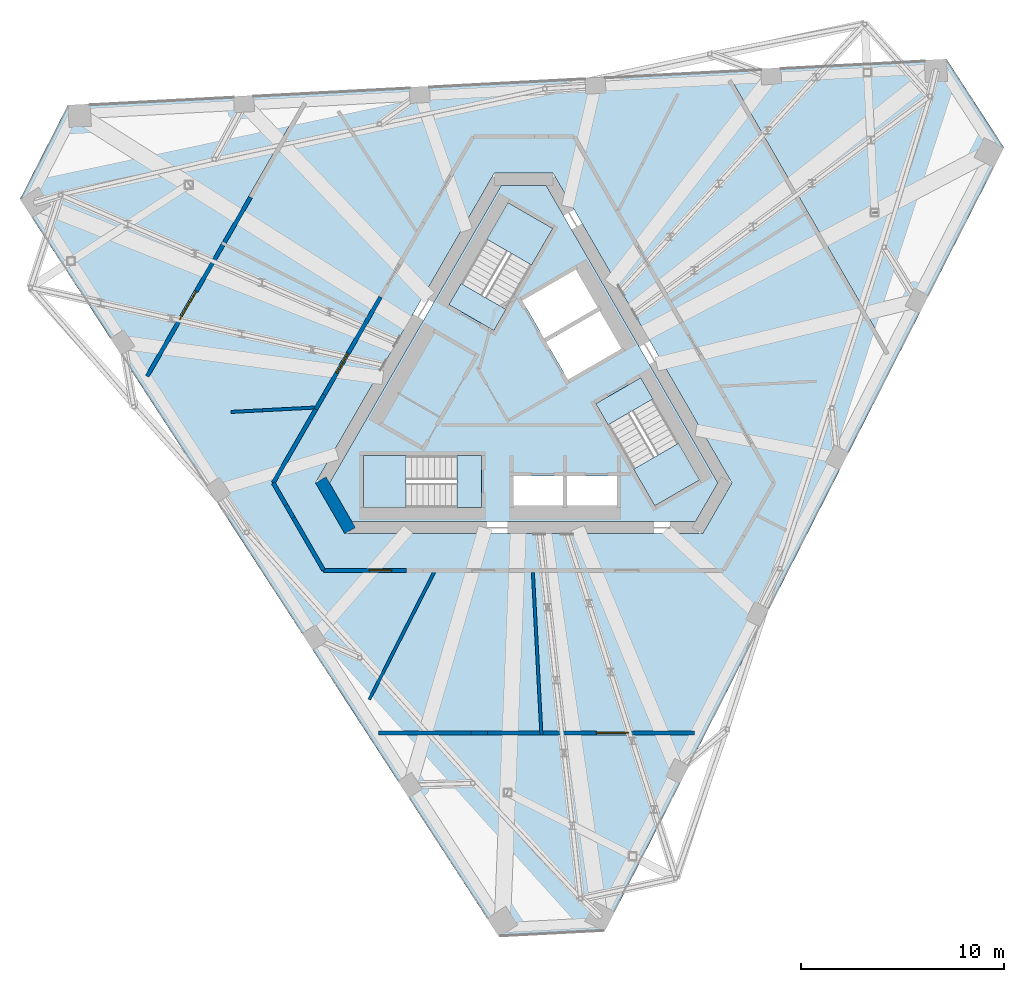
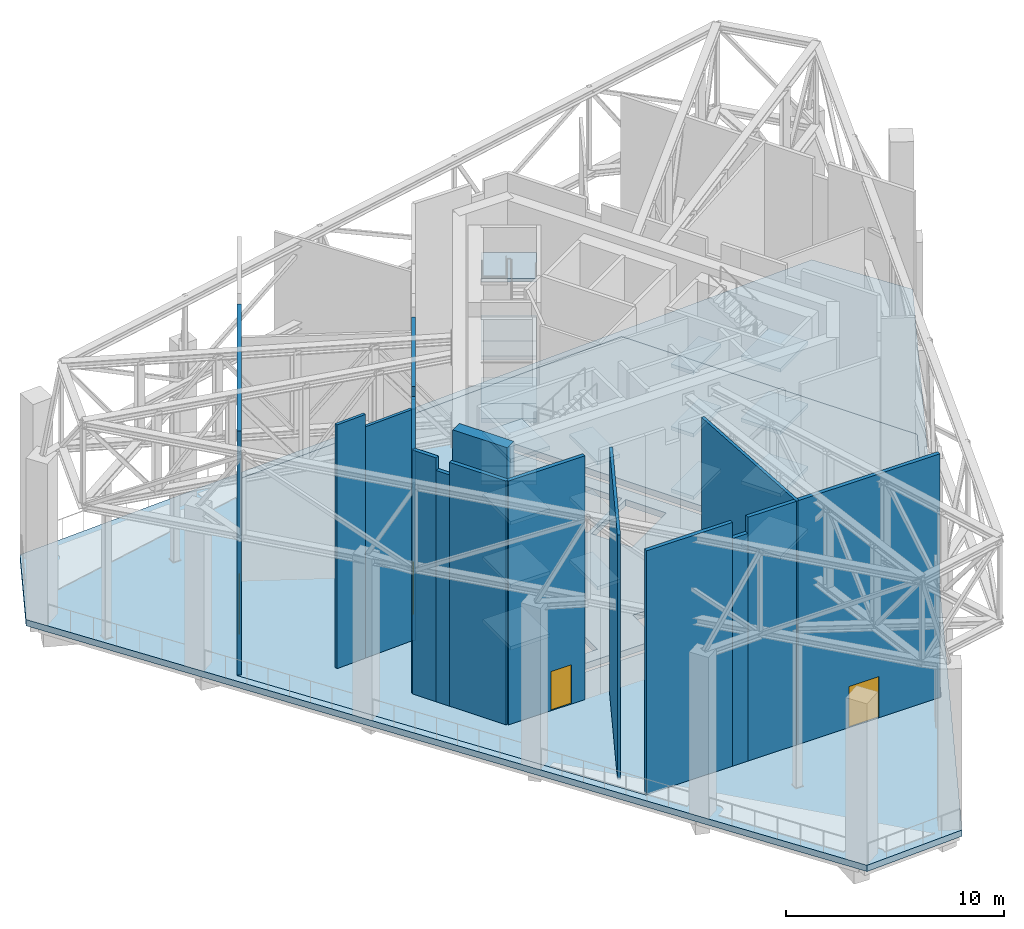
# One storey, part 14 of 23: 24 slabs, 16 walls, 4 doors, 4 openings, 3 elements without a shape of their own.
"""IFC4 building model written with IfcOpenShell, lengths in metres."""

from ifc_helpers import new_model, si_unit, direction, frame, frame_2d, origin, place, context, subcontext, project, spatial, polyline, rectangle, outline, extrude, material, layer, layer_set, type_object, element, fill, aggregate, save


model = new_model("IFC4")

# Units and contexts
model_context = context("Model", 3, precision=1e-05, world=origin(), true_north=direction((0.0, 1.0)))
body_context = subcontext(model_context, "Body", "Model", "MODEL_VIEW")
ifc_project = project(units=[si_unit("LENGTHUNIT", "METRE"), si_unit("AREAUNIT", "SQUARE_METRE"), si_unit("VOLUMEUNIT", "CUBIC_METRE"), si_unit("PLANEANGLEUNIT", "RADIAN"), si_unit("MASSUNIT", "GRAM", prefix="KILO")], contexts=[model_context])

# Site, building, storey
site_placement = place(None, origin())
site = spatial("IfcSite", under=ifc_project, at=site_placement, CompositionType="ELEMENT")
building_placement = place(site_placement, origin())
building = spatial("IfcBuilding", under=site, at=building_placement, Name="Tramontana Tower", CompositionType="ELEMENT")
storey_placement = place(building_placement, frame((0.0, 0.0, 306.39990234375)))
storey = spatial("IfcBuildingStorey", under=building, at=storey_placement, Name="L72", CompositionType="ELEMENT", Elevation=306.39990234375)

# Slabs
ifc_material_1 = material(Name="Concrete 40 MPa", Category="concrete")
ifc_layer_1 = layer(ifc_material_1, 0.35009765625)
ifc_layer_set_1 = layer_set([ifc_layer_1], Name="PT FLAT SLAB 350 40 MPa")
slab_type_1 = type_object("IfcSlabType", Name="PT FLAT SLAB 350 40 MPa", PredefinedType="FLOOR", material=ifc_layer_set_1)
slab_1_placement = place(storey_placement, frame((0.0, 0.0, -0.349853515625)))
element("IfcSlab", 1, at=slab_1_placement, inside=storey, type_object=slab_type_1, Name="Floor slab L72", PredefinedType="FLOOR", context=body_context, shape_type="SweptSolid", body=[
    extrude(outline(polyline([(-7.1376953125, -16.64990234375), (-7.147705078125, -16.6494140625), (-7.1572265625, -16.648193359375), (-7.166748046875, -16.645751953125), (-7.176025390625, -16.642333984375), (-7.184814453125, -16.63818359375), (-7.193359375, -16.633056640625), (-7.201171875, -16.627197265625), (-7.20849609375, -16.62060546875), (-7.215087890625, -16.61328125), (-7.220947265625, -16.605712890625), (-18.618896484375, 0.945556640625), (-18.62353515625, 0.9541015625), (-18.62744140625, 0.963134765625), (-18.63037109375, 0.97265625), (-18.632568359375, 0.982177734375), (-18.633544921875, 0.991943359375), (-18.6337890625, 1.001708984375), (-18.633056640625, 1.011474609375), (-18.631103515625, 1.02099609375), (-18.62841796875, 1.030517578125), (-18.625, 1.039794921875), (-18.620361328125, 1.04833984375), (-10.850341796875, 14.506591796875), (-10.84521484375, 14.5146484375), (-10.839111328125, 14.5224609375), (-10.832275390625, 14.529541015625), (-10.82470703125, 14.535888671875), (-10.816650390625, 14.54150390625), (-10.80810546875, 14.546142578125), (-10.799072265625, 14.550048828125), (-10.789794921875, 14.552978515625), (-10.780029296875, 14.55517578125), (-10.7705078125, 14.556396484375), (10.12841796875, 15.651611328125), (10.13818359375, 15.6513671875), (10.14794921875, 15.650146484375), (10.157470703125, 15.648193359375), (10.166748046875, 15.645263671875), (10.17578125, 15.64111328125), (10.184326171875, 15.636474609375), (10.1923828125, 15.630859375), (10.199951171875, 15.62451171875), (10.206787109375, 15.617431640625), (10.212890625, 15.60986328125), (10.21826171875, 15.6015625), (15.306640625, 6.7880859375), (17.98828125, 2.1435546875), (17.99267578125, 2.134765625), (17.996337890625, 2.125732421875), (17.9990234375, 2.1162109375), (18.000732421875, 2.106689453125), (18.00146484375, 2.0966796875), (18.00146484375, 2.0869140625), (18.000244140625, 2.0771484375), (17.998291015625, 2.067626953125), (17.9951171875, 2.058349609375), (17.9912109375, 2.04931640625), (8.490478515625, -16.59716796875), (8.4853515625, -16.605712890625), (8.4794921875, -16.61328125), (8.472900390625, -16.62060546875), (8.4658203125, -16.627197265625), (8.457763671875, -16.633056640625), (8.449462890625, -16.63818359375), (8.4404296875, -16.642333984375), (8.431396484375, -16.645751953125), (8.421875, -16.648193359375), (8.412109375, -16.6494140625), (8.402099609375, -16.64990234375), (0.797607421875, -16.64990234375), (-7.1376953125, -16.64990234375)]), holes=[polyline([(-8.8046875, -6.75), (8.8046875, -6.75), (10.248046875, -4.25), (1.443359375, 11.0), (-1.443359375, 11.0), (-10.248046875, -4.25), (-8.8046875, -6.75)])]), origin(), (0.0, 0.0, 1.0), 0.349853515625),
])
slab_2_placement = place(storey_placement, frame((0.0, 0.0, -0.349853515625)))
element("IfcSlab", 2, at=slab_2_placement, inside=storey, type_object=slab_type_1, Name="Terrace slab L72", PredefinedType="FLOOR", context=body_context, shape_type="SweptSolid", body=[
    extrude(outline(polyline([(3.9814453125, -26.32763671875), (-1.20751953125, -26.599609375), (-24.791259765625, 9.7158203125), (-22.43212890625, 14.345703125), (20.809814453125, 16.61181640625), (23.639892578125, 12.25390625), (3.9814453125, -26.32763671875)]), holes=[polyline([(8.402099609375, -16.64990234375), (8.412109375, -16.6494140625), (8.421875, -16.648193359375), (8.431396484375, -16.645751953125), (8.4404296875, -16.642333984375), (8.449462890625, -16.63818359375), (8.457763671875, -16.633056640625), (8.4658203125, -16.627197265625), (8.472900390625, -16.62060546875), (8.4794921875, -16.61328125), (8.4853515625, -16.605712890625), (8.490478515625, -16.59716796875), (17.9912109375, 2.04931640625), (17.9951171875, 2.058349609375), (17.998291015625, 2.067626953125), (18.000244140625, 2.0771484375), (18.00146484375, 2.0869140625), (18.00146484375, 2.0966796875), (18.000732421875, 2.106689453125), (17.9990234375, 2.1162109375), (17.996337890625, 2.125732421875), (17.99267578125, 2.134765625), (17.98828125, 2.1435546875), (15.306640625, 6.7880859375), (10.21826171875, 15.6015625), (10.212890625, 15.60986328125), (10.206787109375, 15.617431640625), (10.199951171875, 15.62451171875), (10.1923828125, 15.630859375), (10.184326171875, 15.636474609375), (10.17578125, 15.64111328125), (10.166748046875, 15.645263671875), (10.157470703125, 15.648193359375), (10.14794921875, 15.650146484375), (10.13818359375, 15.6513671875), (10.12841796875, 15.651611328125), (-10.7705078125, 14.556396484375), (-10.780029296875, 14.55517578125), (-10.789794921875, 14.552978515625), (-10.799072265625, 14.550048828125), (-10.80810546875, 14.546142578125), (-10.816650390625, 14.54150390625), (-10.82470703125, 14.535888671875), (-10.832275390625, 14.529541015625), (-10.839111328125, 14.5224609375), (-10.84521484375, 14.5146484375), (-10.850341796875, 14.506591796875), (-18.620361328125, 1.04833984375), (-18.625, 1.039794921875), (-18.62841796875, 1.030517578125), (-18.631103515625, 1.02099609375), (-18.633056640625, 1.011474609375), (-18.6337890625, 1.001708984375), (-18.633544921875, 0.991943359375), (-18.632568359375, 0.982177734375), (-18.63037109375, 0.97265625), (-18.62744140625, 0.963134765625), (-18.62353515625, 0.9541015625), (-18.618896484375, 0.945556640625), (-7.220947265625, -16.605712890625), (-7.215087890625, -16.61328125), (-7.20849609375, -16.62060546875), (-7.201171875, -16.627197265625), (-7.193359375, -16.633056640625), (-7.184814453125, -16.63818359375), (-7.176025390625, -16.642333984375), (-7.166748046875, -16.645751953125), (-7.1572265625, -16.648193359375), (-7.147705078125, -16.6494140625), (-7.1376953125, -16.64990234375), (0.797607421875, -16.64990234375), (8.402099609375, -16.64990234375)])]), origin(), (0.0, 0.0, 1.0), 0.349853515625),
])
slab_3_placement = place(storey_placement, frame((0.0, 0.0, -0.349853515625)))
element("IfcSlab", 3, at=slab_3_placement, inside=storey, type_object=slab_type_1, Name="Core floor slab L72", PredefinedType="FLOOR", context=body_context, shape_type="SweptSolid", body=[
    extrude(outline(polyline([(9.55517578125, -4.25), (8.458251953125, -6.14990234375), (-8.458251953125, -6.14990234375), (-9.55517578125, -4.25), (-1.096923828125, 10.39990234375), (1.096923828125, 10.39990234375), (9.55517578125, -4.25)]), holes=[polyline([(8.659912109375, -4.099365234375), (6.35986328125, -0.115478515625), (4.151611328125, -1.390625), (6.451416015625, -5.374267578125), (8.659912109375, -4.099365234375)]), polyline([(3.829833984375, 4.2666015625), (1.101806640625, 2.69140625), (2.177001953125, 0.82958984375), (4.90478515625, 2.404541015625), (3.829833984375, 4.2666015625)]), polyline([(4.590087890625, -3.89990234375), (2.139892578125, -3.89990234375), (2.139892578125, -5.449951171875), (4.590087890625, -5.449951171875), (4.590087890625, -3.89990234375)]), polyline([(2.65478515625, 6.3017578125), (-0.072998046875, 4.726806640625), (1.001953125, 2.86474609375), (3.729736328125, 4.439697265625), (2.65478515625, 6.3017578125)]), polyline([(1.93994140625, -5.449951171875), (1.93994140625, -3.89990234375), (-0.510009765625, -3.89990234375), (-0.510009765625, -5.449951171875), (1.93994140625, -5.449951171875)]), polyline([(-0.77978515625, 9.54931640625), (-3.079833984375, 5.565673828125), (-0.87158203125, 4.29052734375), (1.428466796875, 8.2744140625), (-0.77978515625, 9.54931640625)]), polyline([(-7.8798828125, -5.449951171875), (-3.280029296875, -5.449951171875), (-3.280029296875, -2.89990234375), (-7.8798828125, -2.89990234375), (-7.8798828125, -5.449951171875)])]), origin(), (0.0, 0.0, 1.0), 0.349853515625),
])

# Stair, slabs
ifc_material_2 = material(Name="Concrete 40 MPa", Category="concrete")
stair_type = type_object("IfcStairType", Name="EXIT STAIR 80 RISERS", PredefinedType="HALF_TURN_STAIR", material=ifc_material_2)
stair_1_placement = place(storey_placement, origin())
stair_1 = element("IfcStair", 4, at=stair_1_placement, inside=storey, type_object=stair_type, Name="L72 Exit stair ST1", PredefinedType="HALF_TURN_STAIR")
ifc_material_3 = material(Name="Concrete 40 MPa", Category="concrete")
ifc_layer_2 = layer(ifc_material_3, 0.199951171875)
ifc_layer_set_2 = layer_set([ifc_layer_2], Name="STAIR LANDING 200")
slab_type_2 = type_object("IfcSlabType", Name="STAIR LANDING 200", PredefinedType="LANDING", material=ifc_layer_set_2)
slab_4_placement = place(storey_placement, frame((0.0, 0.0, 1.550048828125)))
slab_4 = element("IfcSlab", 5, at=slab_4_placement, type_object=slab_type_2, Name="ST1 landing 1", PredefinedType="LANDING", context=body_context, shape_type="SweptSolid", body=[
    extrude(outline(polyline([(0.388427734375, 6.472900390625), (1.428466796875, 8.274169921875), (-0.77978515625, 9.54931640625), (-1.81982421875, 7.748046875), (0.388427734375, 6.472900390625)])), origin(), (0.0, 0.0, 1.0), 0.199951171875),
])
slab_5_placement = place(storey_placement, frame((0.0, 0.0, 3.300048828125)))
slab_5 = element("IfcSlab", 6, at=slab_5_placement, type_object=slab_type_2, Name="ST1 landing 2", PredefinedType="LANDING", context=body_context, shape_type="SweptSolid", body=[
    extrude(outline(polyline([(-1.471435546875, 3.251220703125), (-0.87158203125, 4.29052734375), (-3.079833984375, 5.565673828125), (-3.679931640625, 4.5263671875), (-1.471435546875, 3.251220703125)])), origin(), (0.0, 0.0, 1.0), 0.199951171875),
])
slab_6_placement = place(storey_placement, frame((0.0, 0.0, 5.050048828125)))
slab_6 = element("IfcSlab", 7, at=slab_6_placement, type_object=slab_type_2, Name="ST1 landing 3", PredefinedType="LANDING", context=body_context, shape_type="SweptSolid", body=[
    extrude(outline(polyline([(0.388427734375, 6.472900390625), (1.428466796875, 8.274169921875), (-0.77978515625, 9.54931640625), (-1.81982421875, 7.748046875), (0.388427734375, 6.472900390625)])), origin(), (0.0, 0.0, 1.0), 0.199951171875),
])
slab_7_placement = place(storey_placement, frame((0.0, 0.0, 6.800048828125)))
slab_7 = element("IfcSlab", 8, at=slab_7_placement, type_object=slab_type_2, Name="ST1 landing 4", PredefinedType="LANDING", context=body_context, shape_type="SweptSolid", body=[
    extrude(outline(polyline([(-1.471435546875, 3.251220703125), (-0.87158203125, 4.29052734375), (-3.079833984375, 5.565673828125), (-3.679931640625, 4.5263671875), (-1.471435546875, 3.251220703125)])), origin(), (0.0, 0.0, 1.0), 0.199951171875),
])
slab_8_placement = place(storey_placement, frame((0.0, 0.0, 8.550048828125)))
slab_8 = element("IfcSlab", 9, at=slab_8_placement, type_object=slab_type_2, Name="ST1 landing 5", PredefinedType="LANDING", context=body_context, shape_type="SweptSolid", body=[
    extrude(outline(polyline([(0.388427734375, 6.472900390625), (1.428466796875, 8.274169921875), (-0.77978515625, 9.54931640625), (-1.81982421875, 7.748046875), (0.388427734375, 6.472900390625)])), origin(), (0.0, 0.0, 1.0), 0.199951171875),
])
slab_9_placement = place(storey_placement, frame((0.0, 0.0, 10.300048828125)))
slab_9 = element("IfcSlab", 10, at=slab_9_placement, type_object=slab_type_2, Name="ST1 landing 6", PredefinedType="LANDING", context=body_context, shape_type="SweptSolid", body=[
    extrude(outline(polyline([(-1.471435546875, 3.251220703125), (-0.87158203125, 4.29052734375), (-3.079833984375, 5.565673828125), (-3.679931640625, 4.5263671875), (-1.471435546875, 3.251220703125)])), origin(), (0.0, 0.0, 1.0), 0.199951171875),
])
slab_10_placement = place(storey_placement, frame((0.0, 0.0, 12.050048828125)))
slab_10 = element("IfcSlab", 11, at=slab_10_placement, type_object=slab_type_2, Name="ST1 landing 7", PredefinedType="LANDING", context=body_context, shape_type="SweptSolid", body=[
    extrude(outline(polyline([(0.388427734375, 6.472900390625), (1.428466796875, 8.274169921875), (-0.77978515625, 9.54931640625), (-1.81982421875, 7.748046875), (0.388427734375, 6.472900390625)])), origin(), (0.0, 0.0, 1.0), 0.199951171875),
])
aggregate(stair_1, [slab_4, slab_5, slab_6, slab_7, slab_8, slab_9, slab_10])

stair_2_placement = place(storey_placement, origin())
stair_2 = element("IfcStair", 12, at=stair_2_placement, inside=storey, type_object=stair_type, Name="L72 Exit stair ST2", PredefinedType="HALF_TURN_STAIR")
slab_11_placement = place(storey_placement, frame((0.0, 0.0, 1.550048828125)))
slab_11 = element("IfcSlab", 13, at=slab_11_placement, type_object=slab_type_2, Name="ST2 landing 1", PredefinedType="LANDING", context=body_context, shape_type="SweptSolid", body=[
    extrude(outline(polyline([(-5.800048828125, -2.89990234375), (-7.8798828125, -2.89990234375), (-7.8798828125, -5.449951171875), (-5.800048828125, -5.449951171875), (-5.800048828125, -2.89990234375)])), origin(), (0.0, 0.0, 1.0), 0.199951171875),
])
slab_12_placement = place(storey_placement, frame((0.0, 0.0, 3.300048828125)))
slab_12 = element("IfcSlab", 14, at=slab_12_placement, type_object=slab_type_2, Name="ST2 landing 2", PredefinedType="LANDING", context=body_context, shape_type="SweptSolid", body=[
    extrude(outline(polyline([(-2.080078125, -2.89990234375), (-3.280029296875, -2.89990234375), (-3.280029296875, -5.449951171875), (-2.080078125, -5.449951171875), (-2.080078125, -2.89990234375)])), origin(), (0.0, 0.0, 1.0), 0.199951171875),
])
slab_13_placement = place(storey_placement, frame((0.0, 0.0, 5.050048828125)))
slab_13 = element("IfcSlab", 15, at=slab_13_placement, type_object=slab_type_2, Name="ST2 landing 3", PredefinedType="LANDING", context=body_context, shape_type="SweptSolid", body=[
    extrude(outline(polyline([(-5.800048828125, -2.89990234375), (-7.8798828125, -2.89990234375), (-7.8798828125, -5.449951171875), (-5.800048828125, -5.449951171875), (-5.800048828125, -2.89990234375)])), origin(), (0.0, 0.0, 1.0), 0.199951171875),
])
slab_14_placement = place(storey_placement, frame((0.0, 0.0, 6.800048828125)))
slab_14 = element("IfcSlab", 16, at=slab_14_placement, type_object=slab_type_2, Name="ST2 landing 4", PredefinedType="LANDING", context=body_context, shape_type="SweptSolid", body=[
    extrude(outline(polyline([(-2.080078125, -2.89990234375), (-3.280029296875, -2.89990234375), (-3.280029296875, -5.449951171875), (-2.080078125, -5.449951171875), (-2.080078125, -2.89990234375)])), origin(), (0.0, 0.0, 1.0), 0.199951171875),
])
slab_15_placement = place(storey_placement, frame((0.0, 0.0, 8.550048828125)))
slab_15 = element("IfcSlab", 17, at=slab_15_placement, type_object=slab_type_2, Name="ST2 landing 5", PredefinedType="LANDING", context=body_context, shape_type="SweptSolid", body=[
    extrude(outline(polyline([(-5.800048828125, -2.89990234375), (-7.8798828125, -2.89990234375), (-7.8798828125, -5.449951171875), (-5.800048828125, -5.449951171875), (-5.800048828125, -2.89990234375)])), origin(), (0.0, 0.0, 1.0), 0.199951171875),
])
slab_16_placement = place(storey_placement, frame((0.0, 0.0, 10.300048828125)))
slab_16 = element("IfcSlab", 18, at=slab_16_placement, type_object=slab_type_2, Name="ST2 landing 6", PredefinedType="LANDING", context=body_context, shape_type="SweptSolid", body=[
    extrude(outline(polyline([(-2.080078125, -2.89990234375), (-3.280029296875, -2.89990234375), (-3.280029296875, -5.449951171875), (-2.080078125, -5.449951171875), (-2.080078125, -2.89990234375)])), origin(), (0.0, 0.0, 1.0), 0.199951171875),
])
slab_17_placement = place(storey_placement, frame((0.0, 0.0, 12.050048828125)))
slab_17 = element("IfcSlab", 19, at=slab_17_placement, type_object=slab_type_2, Name="ST2 landing 7", PredefinedType="LANDING", context=body_context, shape_type="SweptSolid", body=[
    extrude(outline(polyline([(-5.800048828125, -2.89990234375), (-7.8798828125, -2.89990234375), (-7.8798828125, -5.449951171875), (-5.800048828125, -5.449951171875), (-5.800048828125, -2.89990234375)])), origin(), (0.0, 0.0, 1.0), 0.199951171875),
])
aggregate(stair_2, [slab_11, slab_12, slab_13, slab_14, slab_15, slab_16, slab_17])

stair_3_placement = place(storey_placement, origin())
stair_3 = element("IfcStair", 20, at=stair_3_placement, inside=storey, type_object=stair_type, Name="L72 Exit stair ST3", PredefinedType="HALF_TURN_STAIR")
slab_18_placement = place(storey_placement, frame((0.0, 0.0, 1.550048828125)))
slab_18 = element("IfcSlab", 21, at=slab_18_placement, type_object=slab_type_2, Name="ST3 landing 1", PredefinedType="LANDING", context=body_context, shape_type="SweptSolid", body=[
    extrude(outline(polyline([(5.411376953125, -3.572998046875), (6.451416015625, -5.374267578125), (8.659912109375, -4.099365234375), (7.619873046875, -2.2978515625), (5.411376953125, -3.572998046875)])), origin(), (0.0, 0.0, 1.0), 0.199951171875),
])
slab_19_placement = place(storey_placement, frame((0.0, 0.0, 3.300048828125)))
slab_19 = element("IfcSlab", 22, at=slab_19_placement, type_object=slab_type_2, Name="ST3 landing 2", PredefinedType="LANDING", context=body_context, shape_type="SweptSolid", body=[
    extrude(outline(polyline([(3.551513671875, -0.351318359375), (4.1513671875, -1.390625), (6.35986328125, -0.115478515625), (5.759765625, 0.923583984375), (3.551513671875, -0.351318359375)])), origin(), (0.0, 0.0, 1.0), 0.199951171875),
])
slab_20_placement = place(storey_placement, frame((0.0, 0.0, 5.050048828125)))
slab_20 = element("IfcSlab", 23, at=slab_20_placement, type_object=slab_type_2, Name="ST3 landing 3", PredefinedType="LANDING", context=body_context, shape_type="SweptSolid", body=[
    extrude(outline(polyline([(5.411376953125, -3.572998046875), (6.451416015625, -5.374267578125), (8.659912109375, -4.099365234375), (7.619873046875, -2.2978515625), (5.411376953125, -3.572998046875)])), origin(), (0.0, 0.0, 1.0), 0.199951171875),
])
slab_21_placement = place(storey_placement, frame((0.0, 0.0, 6.800048828125)))
slab_21 = element("IfcSlab", 24, at=slab_21_placement, type_object=slab_type_2, Name="ST3 landing 4", PredefinedType="LANDING", context=body_context, shape_type="SweptSolid", body=[
    extrude(outline(polyline([(3.551513671875, -0.351318359375), (4.1513671875, -1.390625), (6.35986328125, -0.115478515625), (5.759765625, 0.923583984375), (3.551513671875, -0.351318359375)])), origin(), (0.0, 0.0, 1.0), 0.199951171875),
])
slab_22_placement = place(storey_placement, frame((0.0, 0.0, 8.550048828125)))
slab_22 = element("IfcSlab", 25, at=slab_22_placement, type_object=slab_type_2, Name="ST3 landing 5", PredefinedType="LANDING", context=body_context, shape_type="SweptSolid", body=[
    extrude(outline(polyline([(5.411376953125, -3.572998046875), (6.451416015625, -5.374267578125), (8.659912109375, -4.099365234375), (7.619873046875, -2.2978515625), (5.411376953125, -3.572998046875)])), origin(), (0.0, 0.0, 1.0), 0.199951171875),
])
slab_23_placement = place(storey_placement, frame((0.0, 0.0, 10.300048828125)))
slab_23 = element("IfcSlab", 26, at=slab_23_placement, type_object=slab_type_2, Name="ST3 landing 6", PredefinedType="LANDING", context=body_context, shape_type="SweptSolid", body=[
    extrude(outline(polyline([(3.551513671875, -0.351318359375), (4.1513671875, -1.390625), (6.35986328125, -0.115478515625), (5.759765625, 0.923583984375), (3.551513671875, -0.351318359375)])), origin(), (0.0, 0.0, 1.0), 0.199951171875),
])
slab_24_placement = place(storey_placement, frame((0.0, 0.0, 12.050048828125)))
slab_24 = element("IfcSlab", 27, at=slab_24_placement, type_object=slab_type_2, Name="ST3 landing 7", PredefinedType="LANDING", context=body_context, shape_type="SweptSolid", body=[
    extrude(outline(polyline([(5.411376953125, -3.572998046875), (6.451416015625, -5.374267578125), (8.659912109375, -4.099365234375), (7.619873046875, -2.2978515625), (5.411376953125, -3.572998046875)])), origin(), (0.0, 0.0, 1.0), 0.199951171875),
])
aggregate(stair_3, [slab_18, slab_19, slab_20, slab_21, slab_22, slab_23, slab_24])

# Wall
ifc_material_4 = material(Name="Concrete 70 MPa", Category="concrete")
ifc_layer_3 = layer(ifc_material_4, 0.60009765625)
ifc_layer_set_3 = layer_set([ifc_layer_3], Name="Core wall 600 70 MPa")
wall_type_1 = type_object("IfcWallType", Name="Core wall 600 70 MPa", PredefinedType="SHEAR", material=ifc_layer_set_3)
wall_1_placement = place(storey_placement, frame((-9.98828125, -4.10009765625, 0.0), z_axis=(0.0, 0.0, 1.0), x_axis=(0.499995765644, -0.866027848477, 0.0)))
element("IfcWall", 28, at=wall_1_placement, inside=storey, type_object=wall_type_1, Name="Core wall C2 L72", PredefinedType="SHEAR", context=body_context, shape_type="SweptSolid", body=[
    extrude(rectangle(XDim=2.88671875, YDim=0.60009765625, at=frame_2d((1.443359375, 0.0))), origin(), (0.0, 0.0, 1.0), 14.0),
])

# Wall, opening, door
ifc_material_5 = material(Name="Blockwork", Category="masonry")
ifc_layer_4 = layer(ifc_material_5, 0.199951171875)
ifc_layer_set_4 = layer_set([ifc_layer_4], Name="ENCLOSURE WALL 200")
wall_type_2 = type_object("IfcWallType", Name="ENCLOSURE WALL 200", PredefinedType="SOLIDWALL", material=ifc_layer_set_4)
wall_2_placement = place(storey_placement, frame((8.40234375, -16.550048828125, 0.0), z_axis=(0.0, 0.0, 1.0), x_axis=(-1.0, 0.0, 0.0)))
wall_2 = element("IfcWall", 29, at=wall_2_placement, inside=storey, type_object=wall_type_2, Name="Wall enc0-0", PredefinedType="SOLIDWALL", context=body_context, shape_type="SweptSolid", body=[
    extrude(rectangle(XDim=10.177001953125, YDim=0.199951171875, at=frame_2d((5.08837890625, 0.0))), origin(), (0.0, 0.0, 1.0), 13.650146484375),
])
opening_1_placement = place(wall_2_placement, frame((3.226806640625, 0.0, 0.0)))
opening_1 = element("IfcOpeningElement", 30, at=opening_1_placement, cuts=wall_2, Name="Opening L72-11", PredefinedType="OPENING", context=body_context, shape_type="SweptSolid", body=[
    extrude(rectangle(XDim=1.60009765625, YDim=2.300048828125, at=frame_2d((0.800048828125, 1.14990234375))), frame((0.0, 0.10986328125, 0.0), z_axis=(0.0, -1.0, 0.0), x_axis=(1.0, 0.0, 0.0)), (0.0, 0.0, 1.0), 0.219970703125),
])
ifc_material_6 = material(Name="Painted timber", Category="wood")
door_type_1 = type_object("IfcDoorType", Name="DOOR WIDE 1600", OperationType="SINGLE_SWING_LEFT", PredefinedType="DOOR", material=ifc_material_6)
door_1_placement = place(opening_1_placement, origin())
door_1 = element("IfcDoor", 31, at=door_1_placement, inside=storey, type_object=door_type_1, Name="Door L72-11", OperationType="DOUBLE_DOOR_SINGLE_SWING", OverallHeight=2.300048828125, OverallWidth=1.60009765625, PredefinedType="DOOR", context=body_context, shape_type="SweptSolid", body=[
    extrude(rectangle(XDim=1.60009765625, YDim=2.300048828125, at=frame_2d((0.800048828125, 1.14990234375))), frame((0.0, 0.02490234375, 0.0), z_axis=(0.0, -1.0, 0.0), x_axis=(1.0, 0.0, 0.0)), (0.0, 0.0, 1.0), 0.050048828125),
])
fill(opening_1, door_1)

# Walls
wall_3_placement = place(storey_placement, frame((-1.774658203125, -16.550048828125, 0.0), z_axis=(0.0, 0.0, 1.0), x_axis=(-1.0, 0.0, 0.0)))
element("IfcWall", 32, at=wall_3_placement, inside=storey, type_object=wall_type_2, Name="Wall enc0-1", PredefinedType="SOLIDWALL", context=body_context, shape_type="SweptSolid", body=[
    extrude(rectangle(XDim=0.806884765625, YDim=0.199951171875, at=frame_2d((0.4033203125, 0.0))), origin(), (0.0, 0.0, 1.0), 12.75),
])
wall_4_placement = place(storey_placement, frame((-2.58154296875, -16.550048828125, 0.0), z_axis=(0.0, 0.0, 1.0), x_axis=(-1.0, 0.0, 0.0)))
element("IfcWall", 33, at=wall_4_placement, inside=storey, type_object=wall_type_2, Name="Wall enc0-2", PredefinedType="SOLIDWALL", context=body_context, shape_type="SweptSolid", body=[
    extrude(rectangle(XDim=4.55615234375, YDim=0.199951171875, at=frame_2d((2.278076171875, 0.0))), origin(), (0.0, 0.0, 1.0), 13.650146484375),
])

# Wall, opening, door
wall_5_placement = place(storey_placement, frame((-18.533935546875, 0.99853515625, 0.0), z_axis=(0.0, 0.0, 1.0), x_axis=(0.500022177915, 0.866012598981, 0.0)))
wall_5 = element("IfcWall", 34, at=wall_5_placement, inside=storey, type_object=wall_type_2, Name="Wall enc1-0", PredefinedType="SOLIDWALL", context=body_context, shape_type="SweptSolid", body=[
    extrude(rectangle(XDim=10.1767578125, YDim=0.199951171875, at=frame_2d((5.08837890625, 0.0))), origin(), (0.0, 0.0, 1.0), 13.650146484375),
])
opening_2_placement = place(wall_5_placement, frame((3.226806640625, 0.0, 0.0)))
opening_2 = element("IfcOpeningElement", 35, at=opening_2_placement, cuts=wall_5, Name="Opening L72-10", PredefinedType="OPENING", context=body_context, shape_type="SweptSolid", body=[
    extrude(rectangle(XDim=1.60009765625, YDim=2.300048828125, at=frame_2d((0.800048828125, 1.14990234375))), frame((0.0, 0.10986328125, 0.0), z_axis=(0.0, -1.0, 0.0), x_axis=(1.0, 0.0, 0.0)), (0.0, 0.0, 1.0), 0.219970703125),
])
door_2_placement = place(opening_2_placement, origin())
door_2 = element("IfcDoor", 36, at=door_2_placement, inside=storey, type_object=door_type_1, Name="Door L72-10", OperationType="DOUBLE_DOOR_SINGLE_SWING", OverallHeight=2.300048828125, OverallWidth=1.60009765625, PredefinedType="DOOR", context=body_context, shape_type="SweptSolid", body=[
    extrude(rectangle(XDim=1.60009765625, YDim=2.300048828125, at=frame_2d((0.800048828125, 1.14990234375))), frame((0.0, 0.02490234375, 0.0), z_axis=(0.0, -1.0, 0.0), x_axis=(1.0, 0.0, 0.0)), (0.0, 0.0, 1.0), 0.050048828125),
])
fill(opening_2, door_2)

ifc_material_7 = material(Name="Blockwork", Category="masonry")
ifc_layer_5 = layer(ifc_material_7, 0.199951171875)
ifc_layer_set_5 = layer_set([ifc_layer_5], Name="ENTRY WALL 200")
wall_type_3 = type_object("IfcWallType", Name="ENTRY WALL 200", PredefinedType="SOLIDWALL", material=ifc_layer_set_5)
wall_6_placement = place(storey_placement, frame((-9.84375, -8.550048828125, 0.0), z_axis=(0.0, 0.0, 1.0), x_axis=(1.0, 0.0, 0.0)))
wall_6 = element("IfcWall", 37, at=wall_6_placement, inside=storey, type_object=wall_type_3, Name="Wall ew1-6", PredefinedType="SOLIDWALL", context=body_context, shape_type="SweptSolid", body=[
    extrude(rectangle(XDim=4.065673828125, YDim=0.199951171875, at=frame_2d((2.03271484375, 0.0))), origin(), (0.0, 0.0, 1.0), 13.650146484375),
])
opening_3_placement = place(wall_6_placement, frame((2.2490234375, 0.0, 0.0)))
opening_3 = element("IfcOpeningElement", 38, at=opening_3_placement, cuts=wall_6, Name="Opening L72-04", PredefinedType="OPENING", context=body_context, shape_type="SweptSolid", body=[
    extrude(rectangle(XDim=1.10009765625, YDim=2.199951171875, at=frame_2d((0.550048828125, 1.10009765625))), frame((0.0, 0.10986328125, 0.0), z_axis=(0.0, -1.0, 0.0), x_axis=(1.0, 0.0, 0.0)), (0.0, 0.0, 1.0), 0.219970703125),
])
ifc_material_8 = material(Name="Painted steel", Category="steel")
door_type_2 = type_object("IfcDoorType", Name="PLANT DOOR 1100", OperationType="SINGLE_SWING_LEFT", PredefinedType="DOOR", material=ifc_material_8)
door_3_placement = place(opening_3_placement, origin())
door_3 = element("IfcDoor", 39, at=door_3_placement, inside=storey, type_object=door_type_2, Name="Door L72-04", OperationType="SINGLE_SWING_RIGHT", OverallHeight=2.199951171875, OverallWidth=1.10009765625, PredefinedType="DOOR", context=body_context, shape_type="SweptSolid", body=[
    extrude(rectangle(XDim=1.10009765625, YDim=2.199951171875, at=frame_2d((0.550048828125, 1.10009765625))), frame((0.0, 0.02490234375, 0.0), z_axis=(0.0, -1.0, 0.0), x_axis=(1.0, 0.0, 0.0)), (0.0, 0.0, 1.0), 0.050048828125),
])
fill(opening_3, door_3)

# Walls
wall_7_placement = place(storey_placement, frame((-9.84375, -8.550048828125, 0.0), z_axis=(0.0, 0.0, 1.0), x_axis=(-0.500003959331, 0.866023117852, 0.0)))
element("IfcWall", 40, at=wall_7_placement, inside=storey, type_object=wall_type_3, Name="Wall ew2-0", PredefinedType="SOLIDWALL", context=body_context, shape_type="SweptSolid", body=[
    extrude(rectangle(XDim=3.0029296875, YDim=0.199951171875, at=frame_2d((1.50146484375, 0.0))), origin(), (0.0, 0.0, 1.0), 13.650146484375),
])
wall_8_placement = place(storey_placement, frame((-11.34521484375, -5.949462890625, 0.0), z_axis=(0.0, 0.0, 1.0), x_axis=(-0.499993523031, 0.866029143232, 0.0)))
element("IfcWall", 41, at=wall_8_placement, inside=storey, type_object=wall_type_3, Name="Wall ew2-1", PredefinedType="SOLIDWALL", context=body_context, shape_type="SweptSolid", body=[
    extrude(rectangle(XDim=0.70166015625, YDim=0.199951171875, at=frame_2d((0.350830078125, 0.0))), origin(), (0.0, 0.0, 1.0), 12.9501953125),
])
wall_9_placement = place(storey_placement, frame((-11.696044921875, -5.341796875, 0.0), z_axis=(0.0, 0.0, 1.0), x_axis=(-0.500013012896, 0.866017890655, 0.0)))
element("IfcWall", 42, at=wall_9_placement, inside=storey, type_object=wall_type_3, Name="Wall ew2-2", PredefinedType="SOLIDWALL", context=body_context, shape_type="SweptSolid", body=[
    extrude(rectangle(XDim=1.2607421875, YDim=0.199951171875, at=frame_2d((0.63037109375, 0.0))), origin(), (0.0, 0.0, 1.0), 13.650146484375),
])
wall_10_placement = place(storey_placement, frame((-12.326416015625, -4.25, 0.0), z_axis=(0.0, 0.0, 1.0), x_axis=(0.499982771656, 0.866035350345, 0.0)))
element("IfcWall", 43, at=wall_10_placement, inside=storey, type_object=wall_type_3, Name="Wall ew3-0", PredefinedType="SOLIDWALL", context=body_context, shape_type="SweptSolid", body=[
    extrude(rectangle(XDim=4.194580078125, YDim=0.199951171875, at=frame_2d((2.09716796875, 0.0))), origin(), (0.0, 0.0, 1.0), 13.650146484375),
])
wall_11_placement = place(storey_placement, frame((-10.229248046875, -0.617431640625, 0.0), z_axis=(0.0, 0.0, 1.0), x_axis=(0.5001686003, 0.865928040471, 0.0)))
element("IfcWall", 44, at=wall_11_placement, inside=storey, type_object=wall_type_3, Name="Wall ew3-1", PredefinedType="SOLIDWALL", context=body_context, shape_type="SweptSolid", body=[
    extrude(rectangle(XDim=0.821044921875, YDim=0.199951171875, at=frame_2d((0.41064453125, 0.0))), origin(), (0.0, 0.0, 1.0), 12.9501953125),
])

# Wall, opening, door
wall_12_placement = place(storey_placement, frame((-9.818603515625, 0.093505859375, 0.0), z_axis=(0.0, 0.0, 1.0), x_axis=(0.499971228071, 0.866042014628, 0.0)))
wall_12 = element("IfcWall", 45, at=wall_12_placement, inside=storey, type_object=wall_type_3, Name="Wall ew3-2", PredefinedType="SOLIDWALL", context=body_context, shape_type="SweptSolid", body=[
    extrude(rectangle(XDim=5.550048828125, YDim=0.199951171875, at=frame_2d((2.77490234375, 0.0))), origin(), (0.0, 0.0, 1.0), 13.650146484375),
])
opening_4_placement = place(wall_12_placement, frame((1.2431640625, 0.0, 0.0)))
opening_4 = element("IfcOpeningElement", 46, at=opening_4_placement, cuts=wall_12, Name="Opening L72-03", PredefinedType="OPENING", context=body_context, shape_type="SweptSolid", body=[
    extrude(rectangle(XDim=1.10009765625, YDim=2.199951171875, at=frame_2d((0.550048828125, 1.10009765625))), frame((0.0, 0.10986328125, 0.0), z_axis=(0.0, -1.0, 0.0), x_axis=(1.0, 0.0, 0.0)), (0.0, 0.0, 1.0), 0.219970703125),
])
door_4_placement = place(opening_4_placement, origin())
door_4 = element("IfcDoor", 47, at=door_4_placement, inside=storey, type_object=door_type_2, Name="Door L72-03", OperationType="SINGLE_SWING_LEFT", OverallHeight=2.199951171875, OverallWidth=1.10009765625, PredefinedType="DOOR", context=body_context, shape_type="SweptSolid", body=[
    extrude(rectangle(XDim=1.10009765625, YDim=2.199951171875, at=frame_2d((0.550048828125, 1.10009765625))), frame((0.0, 0.02490234375, 0.0), z_axis=(0.0, -1.0, 0.0), x_axis=(1.0, 0.0, 0.0)), (0.0, 0.0, 1.0), 0.050048828125),
])
fill(opening_4, door_4)

# Walls
ifc_material_9 = material(Name="Gypsum board partition")
ifc_layer_6 = layer(ifc_material_9, 0.14990234375)
ifc_layer_set_6 = layer_set([ifc_layer_6], Name="PARTITION 150")
wall_type_4 = type_object("IfcWallType", Name="PARTITION 150", PredefinedType="PARTITIONING", material=ifc_layer_set_6)
wall_13_placement = place(storey_placement, frame((-10.2998046875, -0.539794921875, 0.0), z_axis=(0.0, 0.0, 1.0), x_axis=(-0.998629151994, -0.052343259234, 0.0)))
element("IfcWall", 48, at=wall_13_placement, inside=storey, type_object=wall_type_4, Name="Wall fw-pw00-0", PredefinedType="PARTITIONING", context=body_context, shape_type="SweptSolid", body=[
    extrude(rectangle(XDim=2.555908203125, YDim=0.14990234375, at=frame_2d((1.27783203125, 0.0))), origin(), (0.0, 0.0, 1.0), 12.9501953125),
])
wall_14_placement = place(storey_placement, frame((-12.852294921875, -0.673583984375, 0.0), z_axis=(0.0, 0.0, 1.0), x_axis=(-0.998631594635, -0.05229663658, 0.0)))
element("IfcWall", 49, at=wall_14_placement, inside=storey, type_object=wall_type_4, Name="Wall fw-pw00-1", PredefinedType="PARTITIONING", context=body_context, shape_type="SweptSolid", body=[
    extrude(rectangle(XDim=1.56396484375, YDim=0.14990234375, at=frame_2d((0.781982421875, 0.0))), origin(), (0.0, 0.0, 1.0), 13.650146484375),
])
wall_15_placement = place(storey_placement, frame((-4.407470703125, -8.650146484375, 0.0), z_axis=(0.0, 0.0, 1.0), x_axis=(-0.454002721832, -0.891000296615, 0.0)))
element("IfcWall", 50, at=wall_15_placement, inside=storey, type_object=wall_type_4, Name="Wall fw-pw03", PredefinedType="PARTITIONING", context=body_context, shape_type="SweptSolid", body=[
    extrude(rectangle(XDim=7.034912109375, YDim=0.14990234375, at=frame_2d((3.517578125, 0.0))), origin(), (0.0, 0.0, 1.0), 13.650146484375),
])
wall_16_placement = place(storey_placement, frame((0.453369140625, -8.64990234375, 0.0), z_axis=(0.0, 0.0, 1.0), x_axis=(0.052326895947, -0.998630009543, 0.0)))
element("IfcWall", 51, at=wall_16_placement, inside=storey, type_object=wall_type_4, Name="Wall fw-pw04", PredefinedType="PARTITIONING", context=body_context, shape_type="SweptSolid", body=[
    extrude(rectangle(XDim=8.010986328125, YDim=0.14990234375, at=frame_2d((4.00537109375, 0.0))), origin(), (0.0, 0.0, 1.0), 13.650146484375),
])

save(model, "model.ifc")
